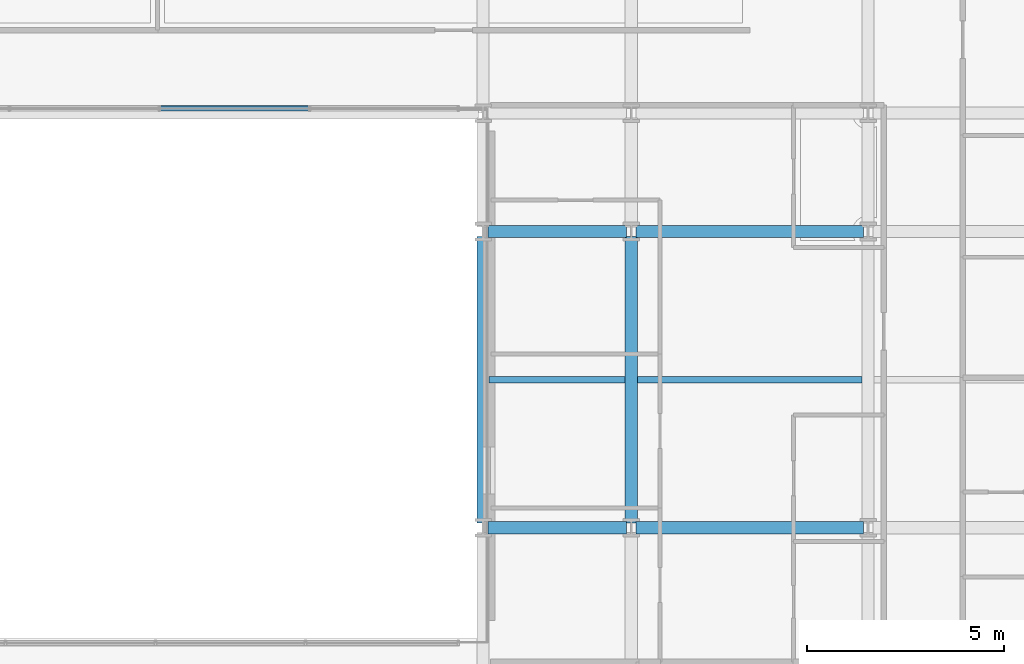
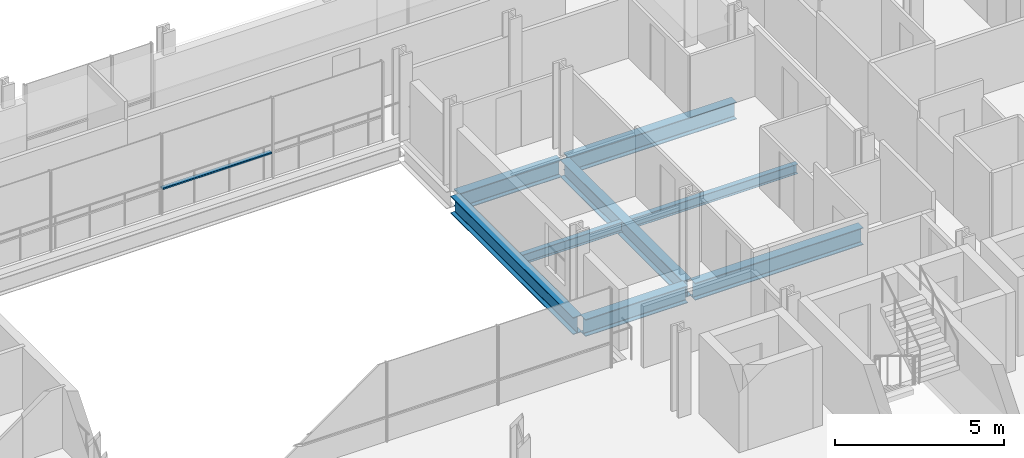
# One storey, part 16 of 39: 8 beams, 1 member, 1 element without a shape of its own.
"""IFC4 building model written with IfcOpenShell, lengths in metres."""

import ifcopenshell
import ifcopenshell.guid

model = None  # the IFC model being written
_history = None  # IfcOwnerHistory: only IFC2X3 demands one
_inside = {}  # id of a spatial element -> (the spatial element, [elements in it])
_under = {}  # id of a project, library or spatial element -> (it, [spatial elements below it])
_declared = {}  # id of a project -> (the project, [libraries it declares])
_typed = {}  # id of a type object -> (the type object, [elements of that type])
_made_of = {}  # id of a material, layer set ... -> (it, [elements and type objects made of it])


def new_model(schema):
    """Start an empty IFC model of exactly this schema.

    Asked for "IFC4X3", IfcOpenShell would pick the latest addendum, in which some entities
    have other attributes; the version numbers below select the first issue.
    IFC2X3 requires an IfcOwnerHistory on every rooted entity: one is made here for all.
    """
    global model, _history
    if schema == "IFC4X3":
        model = ifcopenshell.file(schema_version=(4, 3, 0, 0))
    else:
        model = ifcopenshell.file(schema=schema)
    _inside.clear()
    _under.clear()
    _declared.clear()
    _typed.clear()
    _made_of.clear()
    _history = None
    if model.schema == "IFC2X3":
        org = make("IfcOrganization", Name="unknown")
        user = make(
            "IfcPersonAndOrganization",
            ThePerson=make("IfcPerson", FamilyName="unknown"),
            TheOrganization=org,
        )
        app = make(
            "IfcApplication",
            ApplicationDeveloper=org,
            Version="unknown",
            ApplicationFullName="unknown",
            ApplicationIdentifier="unknown",
        )
        _history = make(
            "IfcOwnerHistory",
            OwningUser=user,
            OwningApplication=app,
            ChangeAction="ADDED",
            CreationDate=0,
        )
    return model


def make(cls, **values):
    """One entity of the class cls with the attributes given. An attribute that is None is left unset."""
    return model.create_entity(
        cls, **{name: value for name, value in values.items() if value is not None}
    )


def rooted(cls, **values):
    """An entity with a GlobalId (a new one), such as an element, a storey or a relation."""
    return make(cls, GlobalId=ifcopenshell.guid.new(), OwnerHistory=_history, **values)


def si_unit(unit_type, name, prefix=None):
    """IfcSIUnit, for example si_unit("LENGTHUNIT", "METRE", prefix="MILLI")."""
    return make("IfcSIUnit", UnitType=unit_type, Prefix=prefix, Name=name)


def assignment(units):
    """IfcUnitAssignment: the units of a project."""
    return None if units is None else make("IfcUnitAssignment", Units=units)


def point(xyz):
    """IfcCartesianPoint."""
    return None if xyz is None else make("IfcCartesianPoint", Coordinates=xyz)


def direction(xyz):
    """IfcDirection."""
    return None if xyz is None else make("IfcDirection", DirectionRatios=xyz)


def frame(location, z_axis=None, x_axis=None):
    """IfcAxis2Placement3D, a coordinate frame: its origin and axes. An axis left out is left unset."""
    return make(
        "IfcAxis2Placement3D",
        Location=point(location),
        Axis=direction(z_axis),
        RefDirection=direction(x_axis),
    )


def frame_2d(location, x_axis=None):
    """IfcAxis2Placement2D, a coordinate frame in the plane: its origin and x axis."""
    return make(
        "IfcAxis2Placement2D", Location=point(location), RefDirection=direction(x_axis)
    )


def origin():
    """The frame at (0, 0, 0) with its axes left unset."""
    return frame((0.0, 0.0, 0.0))


def origin_2d():
    """The frame at (0, 0) in the plane with its x axis left unset."""
    return frame_2d((0.0, 0.0))


def place(relative_to, where):
    """IfcLocalPlacement: puts the frame where relative to a parent placement (None: the world)."""
    return make(
        "IfcLocalPlacement", PlacementRelTo=relative_to, RelativePlacement=where
    )


def context(
    kind, dimensions, precision=None, world=None, true_north=None, identifier=None
):
    """IfcGeometricRepresentationContext, for example the 3D "Model" context."""
    return make(
        "IfcGeometricRepresentationContext",
        ContextIdentifier=identifier,
        ContextType=kind,
        CoordinateSpaceDimension=dimensions,
        Precision=precision,
        WorldCoordinateSystem=world,
        TrueNorth=true_north,
    )


def subcontext(parent, identifier, kind, view, scale=None):
    """IfcGeometricRepresentationSubContext, for example "Body" below "Model"."""
    return make(
        "IfcGeometricRepresentationSubContext",
        ContextIdentifier=identifier,
        ContextType=kind,
        ParentContext=parent,
        TargetScale=scale,
        TargetView=view,
    )


def project(units=None, contexts=None):
    """IfcProject with its units and contexts."""
    return rooted(
        "IfcProject",
        Name="project",
        RepresentationContexts=contexts,
        UnitsInContext=assignment(units),
    )


def spatial(cls, under=None, at=None, **own):
    """A site, building, storey or space (cls), placed at a placement, below another one or the project."""
    s = rooted(cls, ObjectPlacement=at, **own)
    if under is not None:
        _under.setdefault(under.id(), (under, []))[1].append(s)
    return s


def profile(cls, at=None, kind="AREA", **sizes):
    """A parametric profile (cls). Its sizes go by their IFC names, for example OverallWidth=200.0."""
    return make(cls, ProfileType=kind, Position=at, **sizes)


def hollow_rectangle(**sizes):
    """IfcRectangleHollowProfileDef."""
    return profile("IfcRectangleHollowProfileDef", **sizes)


def i_section(**sizes):
    """IfcIShapeProfileDef."""
    return profile("IfcIShapeProfileDef", **sizes)


def extrude(swept, where, along, depth):
    """IfcExtrudedAreaSolid: the profile swept, set in the frame where, extruded along a direction by depth."""
    return make(
        "IfcExtrudedAreaSolid",
        SweptArea=swept,
        Position=where,
        ExtrudedDirection=direction(along),
        Depth=depth,
    )


def shape(context_of_items, identifier, shape_type, items):
    """IfcShapeRepresentation: the items that make up one representation, for example the "Body"."""
    return make(
        "IfcShapeRepresentation",
        ContextOfItems=context_of_items,
        RepresentationIdentifier=identifier,
        RepresentationType=shape_type,
        Items=items,
    )


def material(Name=None, Category=None):
    """IfcMaterial."""
    return make("IfcMaterial", Name=Name, Category=Category)


def layer(
    of_material, thickness, ventilated=None, Name=None, Category=None, Priority=None
):
    """IfcMaterialLayer: one layer of a wall or slab, of a material (None: an air gap)."""
    return make(
        "IfcMaterialLayer",
        Material=of_material,
        LayerThickness=thickness,
        IsVentilated=ventilated,
        Name=Name,
        Category=Category,
        Priority=Priority,
    )


def layer_set(layers, Name=None):
    """IfcMaterialLayerSet."""
    return make("IfcMaterialLayerSet", MaterialLayers=layers, LayerSetName=Name)


def material_profile(
    of_material, cross_section, Name=None, Category=None, Priority=None
):
    """IfcMaterialProfile: a cross section and its material."""
    return make(
        "IfcMaterialProfile",
        Name=Name,
        Material=of_material,
        Profile=cross_section,
        Priority=Priority,
        Category=Category,
    )


def profile_set(profiles, Name=None, composite=None):
    """IfcMaterialProfileSet."""
    return make(
        "IfcMaterialProfileSet",
        Name=Name,
        MaterialProfiles=profiles,
        CompositeProfile=composite,
    )


def made_of(thing, what):
    """Note that an element or type object is made of a material, layer set ...; save() writes the relation."""
    if what is not None:
        _made_of.setdefault(what.id(), (what, []))[1].append(thing)
    return thing


def type_object(cls, material=None, **own):
    """A type object (cls), such as IfcWallType, which elements share."""
    return made_of(rooted(cls, **own), material)


def element(
    cls,
    number,
    at=None,
    inside=None,
    cuts=None,
    type_object=None,
    material=None,
    context=None,
    identifier="Body",
    shape_type=None,
    held_by="IfcProductDefinitionShape",
    body=None,
    shapes=None,
    **own,
):
    """One element of the class cls, such as IfcWall. Its Tag is "e" and its number.

    at: its placement. inside: the storey or other place that contains it. cuts: it is an
    opening in that element (IfcRelVoidsElement). A single representation is given by context,
    identifier, shape_type and body (its items); several are given by shapes. held_by: the class
    of the entity that holds the representations. save() writes the other relations.
    """
    e = rooted(cls, Tag="e%d" % number, ObjectPlacement=at, **own)
    if body is not None:
        shapes = [shape(context, identifier, shape_type, body)]
    if shapes is not None:
        e.Representation = make(held_by, Representations=shapes)
    if inside is not None:
        _inside.setdefault(inside.id(), (inside, []))[1].append(e)
    if cuts is not None:
        rooted(
            "IfcRelVoidsElement", RelatingBuildingElement=cuts, RelatedOpeningElement=e
        )
    if type_object is not None:
        _typed.setdefault(type_object.id(), (type_object, []))[1].append(e)
    return made_of(e, material)


def aggregate(whole, parts):
    """IfcRelAggregates: a whole, such as a stair, and the parts it consists of."""
    return rooted("IfcRelAggregates", RelatingObject=whole, RelatedObjects=parts)


def save(model, path):
    """Write the relations noted so far, then the file.

    IfcRelAggregates (storeys below a building ...), IfcRelContainedInSpatialStructure (elements
    in a storey), IfcRelDefinesByType, IfcRelAssociatesMaterial and IfcRelDeclares: one each for
    every whole, place, type object, material and project.
    """
    for whole, parts in _under.values():
        aggregate(whole, parts)
    for where, things in _inside.values():
        rooted(
            "IfcRelContainedInSpatialStructure",
            RelatedElements=things,
            RelatingStructure=where,
        )
    for kind, things in _typed.values():
        rooted("IfcRelDefinesByType", RelatedObjects=things, RelatingType=kind)
    for what, things in _made_of.values():
        rooted("IfcRelAssociatesMaterial", RelatedObjects=things, RelatingMaterial=what)
    for by, libraries in _declared.values():
        rooted("IfcRelDeclares", RelatingContext=by, RelatedDefinitions=libraries)
    model.write(path)


model = new_model("IFC4")

# Units and contexts
model_context = context("Model", 3, precision=1e-05, world=origin(), true_north=direction((0.0, 1.0)))
body_context = subcontext(model_context, "Body", "Model", "MODEL_VIEW")
ifc_project = project(units=[si_unit("LENGTHUNIT", "METRE"), si_unit("AREAUNIT", "SQUARE_METRE"), si_unit("VOLUMEUNIT", "CUBIC_METRE"), si_unit("PLANEANGLEUNIT", "RADIAN"), si_unit("MASSUNIT", "GRAM", prefix="KILO")], contexts=[model_context])

# Site, building, storey
site_placement = place(None, origin())
site = spatial("IfcSite", under=ifc_project, at=site_placement, CompositionType="ELEMENT")
building_placement = place(site_placement, origin())
building = spatial("IfcBuilding", under=site, at=building_placement, Name="Brevholm Reach", CompositionType="ELEMENT")
storey_placement = place(building_placement, frame((0.0, 0.0, 40.39990234375)))
storey = spatial("IfcBuildingStorey", under=building, at=storey_placement, Name="L10", CompositionType="ELEMENT", Elevation=40.39990234375)

# Beams
ifc_material_1 = material(Name="Structural Steel S355J2", Category="steel")
ifc_material_profile_1 = material_profile(ifc_material_1, i_section(OverallWidth=0.17138671875, OverallDepth=0.35498046875, WebThickness=0.00732421875, FlangeThickness=0.011474609375, FilletRadius=0.01025390625, at=origin_2d()), Name="UKB 356x171x51")
ifc_profile_set_1 = profile_set([ifc_material_profile_1], Name="Structural Steel S355J2")
beam_type_1 = type_object("IfcBeamType", Name="BM-B356", PredefinedType="BEAM", material=ifc_profile_set_1)
beam_1_placement = place(storey_placement, frame((38.403564453125, 19.75, -0.407470703125), z_axis=(1.0, 0.0, 0.0), x_axis=(0.0, 1.0, 0.0)))
element("IfcBeam", 1, at=beam_1_placement, inside=storey, type_object=beam_type_1, Name="L10 Composite Secondary Floor Beam", PredefinedType="BEAM", context=body_context, shape_type="SweptSolid", body=[
    extrude(i_section(OverallWidth=0.17138671875, OverallDepth=0.35498046875, WebThickness=0.00732421875, FlangeThickness=0.011474609375, FilletRadius=0.01025390625, at=origin_2d()), origin(), (0.0, 0.0, 1.0), 3.44287109375),
])
beam_2_placement = place(storey_placement, frame((42.153564453125, 19.75, -0.407470703125), z_axis=(1.0, 0.0, 0.0), x_axis=(0.0, 1.0, 0.0)))
element("IfcBeam", 2, at=beam_2_placement, inside=storey, type_object=beam_type_1, Name="L10 Composite Secondary Floor Beam", PredefinedType="BEAM", context=body_context, shape_type="SweptSolid", body=[
    extrude(i_section(OverallWidth=0.17138671875, OverallDepth=0.35498046875, WebThickness=0.00732421875, FlangeThickness=0.011474609375, FilletRadius=0.01025390625, at=origin_2d()), origin(), (0.0, 0.0, 1.0), 5.69287109375),
])
ifc_material_2 = material(Name="Structural Steel S355J2", Category="steel")
ifc_material_profile_2 = material_profile(ifc_material_2, i_section(OverallWidth=0.30712890625, OverallDepth=0.6201171875, WebThickness=0.01416015625, FlangeThickness=0.023681640625, FilletRadius=0.0166015625, at=origin_2d()), Name="UKB 610x305x179")
ifc_profile_set_2 = profile_set([ifc_material_profile_2], Name="Structural Steel S355J2")
beam_type_2 = type_object("IfcBeamType", Name="BM-UKB610H", PredefinedType="USERDEFINED", material=ifc_profile_set_2)
beam_3_placement = place(storey_placement, frame((38.3701171875, 16.0, -0.5400390625), z_axis=(1.0, 0.0, 0.0), x_axis=(0.0, 1.0, 0.0)))
element("IfcBeam", 3, at=beam_3_placement, inside=storey, type_object=beam_type_2, Name="L10 G-06 Framing Beam", ObjectType="GIRDER", PredefinedType="USERDEFINED", context=body_context, shape_type="SweptSolid", body=[
    extrude(i_section(OverallWidth=0.30712890625, OverallDepth=0.6201171875, WebThickness=0.01416015625, FlangeThickness=0.023681640625, FilletRadius=0.0166015625, at=origin_2d()), origin(), (0.0, 0.0, 1.0), 3.509765625),
])
beam_4_placement = place(storey_placement, frame((42.1201171875, 16.0, -0.5400390625), z_axis=(1.0, 0.0, 0.0), x_axis=(0.0, 1.0, 0.0)))
element("IfcBeam", 4, at=beam_4_placement, inside=storey, type_object=beam_type_2, Name="L10 G-06 Framing Beam", ObjectType="GIRDER", PredefinedType="USERDEFINED", context=body_context, shape_type="SweptSolid", body=[
    extrude(i_section(OverallWidth=0.30712890625, OverallDepth=0.6201171875, WebThickness=0.01416015625, FlangeThickness=0.023681640625, FilletRadius=0.0166015625, at=origin_2d()), origin(), (0.0, 0.0, 1.0), 5.759765625),
])
beam_5_placement = place(storey_placement, frame((38.3701171875, 23.5, -0.5400390625), z_axis=(1.0, 0.0, 0.0), x_axis=(0.0, 1.0, 0.0)))
element("IfcBeam", 5, at=beam_5_placement, inside=storey, type_object=beam_type_2, Name="L10 G-06 Framing Beam", ObjectType="GIRDER", PredefinedType="USERDEFINED", context=body_context, shape_type="SweptSolid", body=[
    extrude(i_section(OverallWidth=0.30712890625, OverallDepth=0.6201171875, WebThickness=0.01416015625, FlangeThickness=0.023681640625, FilletRadius=0.0166015625, at=origin_2d()), origin(), (0.0, 0.0, 1.0), 3.509765625),
])
beam_6_placement = place(storey_placement, frame((42.1201171875, 23.5, -0.5400390625), z_axis=(1.0, 0.0, 0.0), x_axis=(0.0, 1.0, 0.0)))
element("IfcBeam", 6, at=beam_6_placement, inside=storey, type_object=beam_type_2, Name="L10 G-06 Framing Beam", ObjectType="GIRDER", PredefinedType="USERDEFINED", context=body_context, shape_type="SweptSolid", body=[
    extrude(i_section(OverallWidth=0.30712890625, OverallDepth=0.6201171875, WebThickness=0.01416015625, FlangeThickness=0.023681640625, FilletRadius=0.0166015625, at=origin_2d()), origin(), (0.0, 0.0, 1.0), 5.759765625),
])
for number, where, z_axis, x_axis, name in (
    (7, (38.25, 16.1201171875, -0.5400390625), (0.0, 1.0, 0.0), (-1.0, 0.0, 0.0), "L10 G-06 Framing Beam"),
    (8, (42.0, 16.1201171875, -0.5400390625), (0.0, 1.0, 0.0), (-1.0, 0.0, 0.0), "L10 G-06 Framing Beam"),
):
    element("IfcBeam", number, at=place(storey_placement, frame(where, z_axis=z_axis, x_axis=x_axis)), inside=storey, type_object=beam_type_2, Name=name, ObjectType="GIRDER", PredefinedType="USERDEFINED", context=body_context, shape_type="SweptSolid", body=[
        extrude(i_section(OverallWidth=0.30712890625, OverallDepth=0.6201171875, WebThickness=0.01416015625, FlangeThickness=0.023681640625, FilletRadius=0.0166015625, at=origin_2d()), origin(), (0.0, 0.0, 1.0), 7.259765625),
    ])

# Curtain wall, member
ifc_material_3 = material(Name="Dark Anodised Aluminium 6063-T6 and Solar-Control Glass", Category="aluminium")
ifc_layer = layer(ifc_material_3, 0.139892578125)
ifc_layer_set = layer_set([ifc_layer], Name="Dark Anodised Aluminium 6063-T6 and Solar-Control Glass")
curtain_wall_type = type_object("IfcCurtainWallType", Name="CW-02", PredefinedType="NOTDEFINED", material=ifc_layer_set)
curtain_wall_placement = place(storey_placement, origin())
curtain_wall = element("IfcCurtainWall", 9, at=curtain_wall_placement, inside=storey, type_object=curtain_wall_type, Name="L10 Curtain Wall CW-02", PredefinedType="NOTDEFINED")
ifc_material_4 = material(Name="Dark Anodised Aluminium 6063-T6", Category="aluminium")
ifc_material_profile_3 = material_profile(ifc_material_4, hollow_rectangle(XDim=0.06005859375, YDim=0.139892578125, WallThickness=0.0048828125, InnerFilletRadius=0.0048828125, OuterFilletRadius=0.010009765625, at=origin_2d()), Name="RHS 140x60x5")
ifc_profile_set_3 = profile_set([ifc_material_profile_3], Name="Dark Anodised Aluminium 6063-T6")
member_type = type_object("IfcMemberType", Name="CWT-140", PredefinedType="NOTDEFINED", material=ifc_profile_set_3)
member_placement = place(storey_placement, frame((33.820068359375, 26.6201171875, 0.900146484375), z_axis=(-1.0, 0.0, 0.0), x_axis=(0.0, 0.0, 1.0)))
member = element("IfcMember", 10, at=member_placement, type_object=member_type, Name="CT-140 Transom 2.1", ObjectType="TRANSOM", PredefinedType="USERDEFINED", context=body_context, shape_type="SweptSolid", body=[
    extrude(hollow_rectangle(XDim=0.06005859375, YDim=0.139892578125, WallThickness=0.0048828125, InnerFilletRadius=0.0048828125, OuterFilletRadius=0.010009765625, at=origin_2d()), origin(), (0.0, 0.0, 1.0), 3.739990234375),
])
aggregate(curtain_wall, [member])

save(model, "model.ifc")
